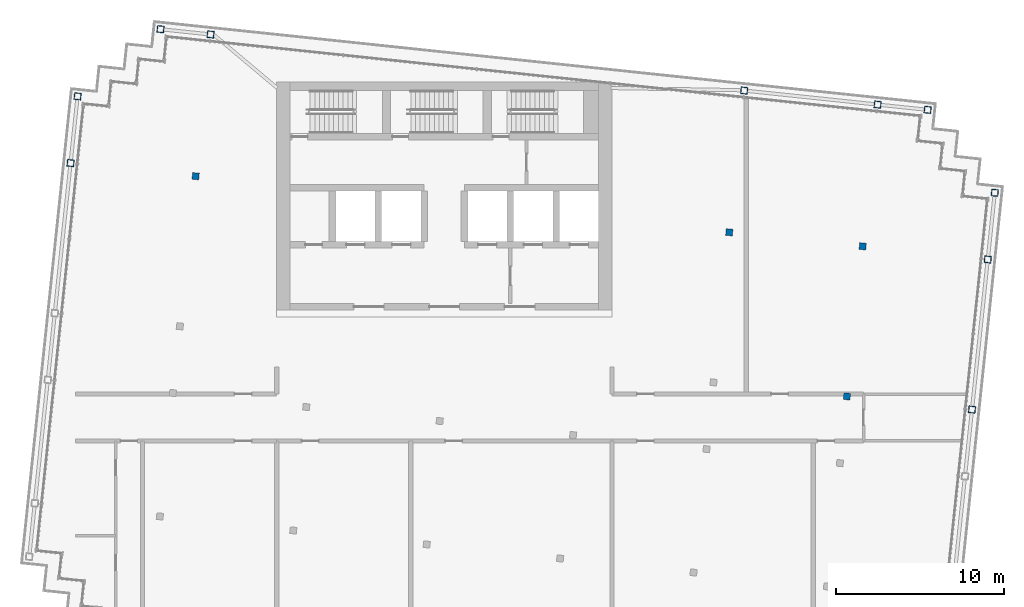
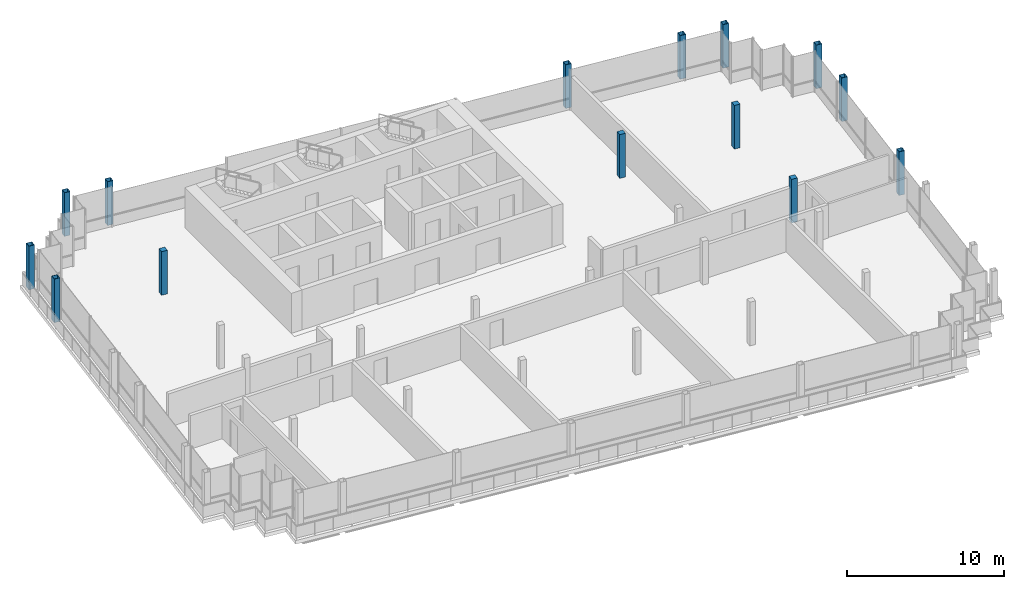
# One storey, part 2 of 15: 14 columns.
"""IFC4 building model written with IfcOpenShell, lengths in metres."""

from ifc_helpers import new_model, si_unit, direction, frame, origin, origin_2d, place, context, subcontext, project, spatial, rectangle, hollow_rectangle, extrude, material, material_profile, profile_set, type_object, element, save


model = new_model("IFC4")

# Units and contexts
model_context = context("Model", 3, precision=1e-05, world=origin(), true_north=direction((0.0, 1.0)))
body_context = subcontext(model_context, "Body", "Model", "MODEL_VIEW")
ifc_project = project(units=[si_unit("LENGTHUNIT", "METRE"), si_unit("AREAUNIT", "SQUARE_METRE"), si_unit("VOLUMEUNIT", "CUBIC_METRE"), si_unit("PLANEANGLEUNIT", "RADIAN"), si_unit("MASSUNIT", "GRAM", prefix="KILO")], contexts=[model_context])

# Site, building, storey
site_placement = place(None, origin())
site = spatial("IfcSite", under=ifc_project, at=site_placement, CompositionType="ELEMENT")
building_placement = place(site_placement, origin())
building = spatial("IfcBuilding", under=site, at=building_placement, Name="Vidyagriha Tower", CompositionType="ELEMENT")
storey_placement = place(building_placement, frame((0.0, 0.0, 294.89990234375)))
storey = spatial("IfcBuildingStorey", under=building, at=storey_placement, Name="L76", CompositionType="ELEMENT", Elevation=294.89990234375)

# Columns
ifc_material_1 = material(Name="Steel ASTM A572 Grade 50", Category="steel")
ifc_material_profile_1 = material_profile(ifc_material_1, hollow_rectangle(XDim=0.39990234375, YDim=0.39990234375, WallThickness=0.02001953125, at=origin_2d()), Name="BOX 400x400x20")
ifc_profile_set_1 = profile_set([ifc_material_profile_1], Name="Steel ASTM A572 Grade 50")
column_type_1 = type_object("IfcColumnType", Name="Exoskeleton column BOX 400x400x20", PredefinedType="COLUMN", material=ifc_profile_set_1)
for number, where, z_axis, x_axis, name in (
    (1, (31.4677734375, 0.47412109375, 0.0), (0.0, 0.0, 1.0), (0.994521895368, -0.104528463268, 0.0), "st-col-L76-B6-031"),
    (2, (-22.2900390625, 15.173828125, 0.0), (0.0, 0.0, 1.0), (0.994521895368, -0.104528463268, 0.0), "st-col-L76-B6-032"),
    (3, (32.40869140625, 9.4248046875, 0.0), (0.0, 0.0, 1.0), (0.994521895368, -0.104528463268, 0.0), "st-col-L76-B6-036"),
    (4, (-21.8720703125, 19.15185546875, 0.0), (0.0, 0.0, 1.0), (0.994521895368, -0.104528463268, 0.0), "st-col-L76-B6-037"),
    (5, (32.82666015625, 13.40283203125, 0.0), (0.0, 0.0, 1.0), (0.994521895368, -0.104528463268, 0.0), "st-col-L76-B6-038"),
    (6, (-16.92626953125, 23.156982421875, 0.0), (0.0, 0.0, 1.0), (0.994521895368, -0.104528463268, 0.0), "st-col-L76-B6-039"),
    (7, (-13.942626953125, 22.84326171875, 0.0), (0.0, 0.0, 1.0), (0.994521895368, -0.104528463268, 0.0), "st-col-L76-B6-040"),
    (8, (17.882080078125, 19.498291015625, 0.0), (0.0, 0.0, 1.0), (0.994521895368, -0.104528463268, 0.0), "st-col-L76-B6-041"),
    (9, (25.838134765625, 18.662109375, 0.0), (0.0, 0.0, 1.0), (0.994521895368, -0.104528463268, 0.0), "st-col-L76-B6-042"),
    (10, (28.82177734375, 18.3486328125, 0.0), (0.0, 0.0, 1.0), (0.994521895368, -0.104528463268, 0.0), "st-col-L76-B6-043"),
):
    element("IfcColumn", number, at=place(storey_placement, frame(where, z_axis=z_axis, x_axis=x_axis)), inside=storey, type_object=column_type_1, Name=name, PredefinedType="COLUMN", context=body_context, shape_type="SweptSolid", body=[
        extrude(hollow_rectangle(XDim=0.39990234375, YDim=0.39990234375, WallThickness=0.02001953125, at=origin_2d()), origin(), (0.0, 0.0, 1.0), 3.400146484375),
    ])
ifc_material_2 = material(Name="Concrete C60/75", Category="concrete")
ifc_material_profile_2 = material_profile(ifc_material_2, rectangle(XDim=0.39990234375, YDim=0.39990234375, at=origin_2d()), Name="RC 400x400")
ifc_profile_set_2 = profile_set([ifc_material_profile_2], Name="Concrete C60/75")
column_type_2 = type_object("IfcColumnType", Name="Frame column RC 400x400", PredefinedType="COLUMN", material=ifc_profile_set_2)
for number, where, z_axis, x_axis, name in (
    (11, (24.0087890625, 1.258056640625, 0.0), (0.0, 0.0, 1.0), (0.994521895368, -0.104528463268, 0.0), "st-col-L76-B6-030"),
    (12, (-14.831298828125, 14.389892578125, 0.0), (0.0, 0.0, 1.0), (0.994521895368, -0.104528463268, 0.0), "st-col-L76-B6-033"),
    (13, (16.993408203125, 11.044921875, 0.0), (0.0, 0.0, 1.0), (0.994521895368, -0.104528463268, 0.0), "st-col-L76-B6-034"),
    (14, (24.94970703125, 10.208740234375, 0.0), (0.0, 0.0, 1.0), (0.994521895368, -0.104528463268, 0.0), "st-col-L76-B6-035"),
):
    element("IfcColumn", number, at=place(storey_placement, frame(where, z_axis=z_axis, x_axis=x_axis)), inside=storey, type_object=column_type_2, Name=name, PredefinedType="COLUMN", context=body_context, shape_type="SweptSolid", body=[
        extrude(rectangle(XDim=0.39990234375, YDim=0.39990234375, at=origin_2d()), origin(), (0.0, 0.0, 1.0), 3.400146484375),
    ])

save(model, "model.ifc")
